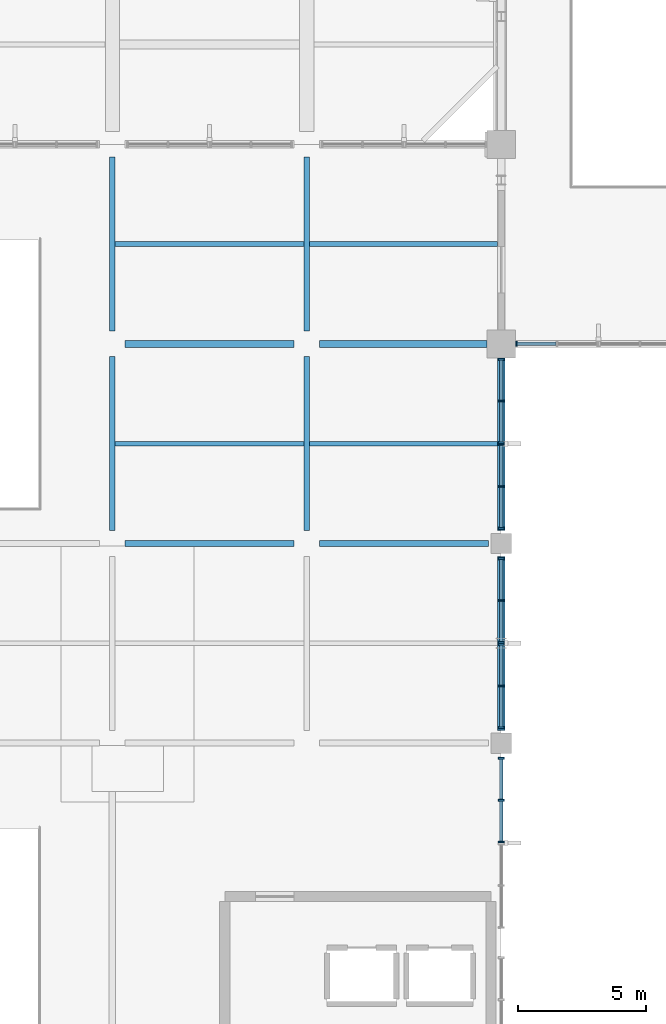
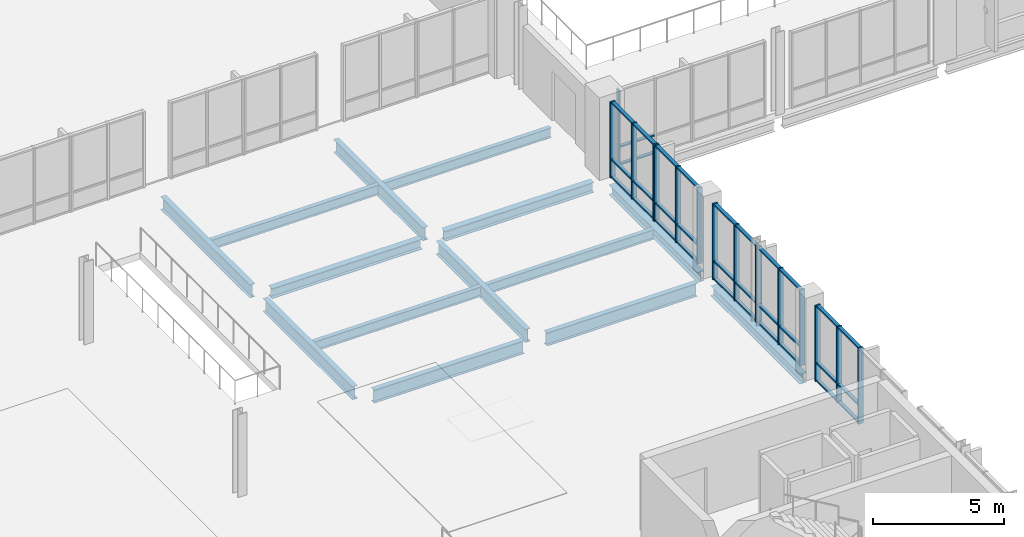
# One storey, part 39 of 85: 48 members, 14 beams, 6 elements without a shape of their own.
"""IFC4 building model written with IfcOpenShell, lengths in metres."""

from ifc_helpers import new_model, si_unit, direction, frame, origin, origin_2d, place, context, subcontext, project, spatial, rectangle, i_section, extrude, material, material_profile, profile_set, type_object, element, aggregate, save


model = new_model("IFC4")

# Units and contexts
model_context = context("Model", 3, precision=1e-05, world=origin(), true_north=direction((0.0, 1.0)))
body_context = subcontext(model_context, "Body", "Model", "MODEL_VIEW")
ifc_project = project(units=[si_unit("LENGTHUNIT", "METRE"), si_unit("AREAUNIT", "SQUARE_METRE"), si_unit("VOLUMEUNIT", "CUBIC_METRE"), si_unit("PLANEANGLEUNIT", "RADIAN"), si_unit("MASSUNIT", "GRAM", prefix="KILO")], contexts=[model_context])

# Site, building, storey
site_placement = place(None, origin())
site = spatial("IfcSite", under=ifc_project, at=site_placement, CompositionType="ELEMENT")
building_placement = place(site_placement, origin())
building = spatial("IfcBuilding", under=site, at=building_placement, Name="Vervanel Yard Central Library", CompositionType="ELEMENT")
storey_placement = place(building_placement, frame((0.0, 0.0, 5.10009765625)))
storey = spatial("IfcBuildingStorey", under=building, at=storey_placement, Name="L01", CompositionType="ELEMENT", Elevation=5.10009765625)

# Curtain wall, members
ifc_material_1 = material(Name="Thermally broken anodized aluminium 6063-T6", Category="aluminium")
curtain_wall_type_1 = type_object("IfcCurtainWallType", Name="Auditorium Foyer Curtain Wall", PredefinedType="NOTDEFINED", material=ifc_material_1)
curtain_wall_1_placement = place(storey_placement, origin())
curtain_wall_1 = element("IfcCurtainWall", 1, at=curtain_wall_1_placement, inside=storey, type_object=curtain_wall_type_1, Name="L01 Auditorium Foyer Curtain Wall CWR-L01-151", PredefinedType="NOTDEFINED")
ifc_material_profile_1 = material_profile(ifc_material_1, rectangle(XDim=0.06494140625, YDim=0.18994140625, at=origin_2d()), Name="ALU 65x190", Category="aluminium")
ifc_profile_set_1 = profile_set([ifc_material_profile_1], Name="Thermally broken anodized aluminium 6063-T6")
member_type_1 = type_object("IfcMemberType", Name="Curtain Wall Primary Mullion 65x190", PredefinedType="MULLION", material=ifc_profile_set_1)
member_1_placement = place(storey_placement, frame((146.592529296875, 74.39990234375, 0.0), z_axis=(0.0, 0.0, 1.0), x_axis=(1.0, 0.0, 0.0)))
member_1 = element("IfcMember", 2, at=member_1_placement, type_object=member_type_1, Name="CWR-L01-151 Mullion 1", PredefinedType="MULLION", context=body_context, shape_type="SweptSolid", body=[
    extrude(rectangle(XDim=0.06494140625, YDim=0.18994140625, at=origin_2d()), origin(), (0.0, 0.0, 1.0), 3.52978515625),
])
ifc_material_profile_2 = material_profile(ifc_material_1, rectangle(XDim=0.06494140625, YDim=0.139892578125, at=origin_2d()), Name="ALU 65x140", Category="aluminium")
ifc_profile_set_2 = profile_set([ifc_material_profile_2], Name="Thermally broken anodized aluminium 6063-T6")
member_type_2 = type_object("IfcMemberType", Name="Curtain Wall Transom 65x140", PredefinedType="NOTDEFINED", material=ifc_profile_set_2)
member_2_placement = place(storey_placement, frame((146.625, 74.39990234375, 0.032470703125), z_axis=(1.0, 0.0, 0.0), x_axis=(0.0, 0.0, 1.0)))
member_2 = element("IfcMember", 3, at=member_2_placement, type_object=member_type_2, Name="CWR-L01-151 Transom B1-T1", ObjectType="TRANSOM", PredefinedType="USERDEFINED", context=body_context, shape_type="SweptSolid", body=[
    extrude(rectangle(XDim=0.06494140625, YDim=0.139892578125, at=origin_2d()), origin(), (0.0, 0.0, 1.0), 1.5224609375),
])
member_3_placement = place(storey_placement, frame((146.625, 74.39990234375, 0.849853515625), z_axis=(1.0, 0.0, 0.0), x_axis=(0.0, 0.0, 1.0)))
member_3 = element("IfcMember", 4, at=member_3_placement, type_object=member_type_2, Name="CWR-L01-151 Transom B1-T2", ObjectType="TRANSOM", PredefinedType="USERDEFINED", context=body_context, shape_type="SweptSolid", body=[
    extrude(rectangle(XDim=0.06494140625, YDim=0.139892578125, at=origin_2d()), origin(), (0.0, 0.0, 1.0), 1.5224609375),
])
aggregate(curtain_wall_1, [member_1, member_2, member_3])

curtain_wall_type_2 = type_object("IfcCurtainWallType", Name="Prow Cantilever Glazed Curtain Wall", PredefinedType="NOTDEFINED", material=ifc_material_1)
curtain_wall_2_placement = place(storey_placement, origin())
curtain_wall_2 = element("IfcCurtainWall", 5, at=curtain_wall_2_placement, inside=storey, type_object=curtain_wall_type_2, Name="L01 Prow Cantilever Glazed Curtain Wall CWR-L01-127", PredefinedType="NOTDEFINED")
ifc_material_profile_3 = material_profile(ifc_material_1, rectangle(XDim=0.070068359375, YDim=0.219970703125, at=origin_2d()), Name="ALU 70x220", Category="aluminium")
ifc_profile_set_3 = profile_set([ifc_material_profile_3], Name="Thermally broken anodized aluminium 6063-T6")
member_type_3 = type_object("IfcMemberType", Name="Reading Hall Deep Mullion 70x220", PredefinedType="MULLION", material=ifc_profile_set_3)
member_4_placement = place(storey_placement, frame((146.0, 54.93505859375, 0.0), z_axis=(0.0, 0.0, 1.0), x_axis=(0.0, 1.0, 0.0)))
member_4 = element("IfcMember", 6, at=member_4_placement, type_object=member_type_3, Name="CWR-L01-127 Mullion 1", PredefinedType="MULLION", context=body_context, shape_type="SweptSolid", body=[
    extrude(rectangle(XDim=0.070068359375, YDim=0.219970703125, at=origin_2d()), origin(), (0.0, 0.0, 1.0), 3.52978515625),
])
member_5_placement = place(storey_placement, frame((146.0, 56.570068359375, 0.0), z_axis=(0.0, 0.0, 1.0), x_axis=(0.0, 1.0, 0.0)))
member_5 = element("IfcMember", 7, at=member_5_placement, type_object=member_type_3, Name="CWR-L01-127 Mullion 2", PredefinedType="MULLION", context=body_context, shape_type="SweptSolid", body=[
    extrude(rectangle(XDim=0.070068359375, YDim=0.219970703125, at=origin_2d()), origin(), (0.0, 0.0, 1.0), 3.52978515625),
])
member_6_placement = place(storey_placement, frame((146.0, 58.205078125, 0.0), z_axis=(0.0, 0.0, 1.0), x_axis=(0.0, 1.0, 0.0)))
member_6 = element("IfcMember", 8, at=member_6_placement, type_object=member_type_3, Name="CWR-L01-127 Mullion 3", PredefinedType="MULLION", context=body_context, shape_type="SweptSolid", body=[
    extrude(rectangle(XDim=0.070068359375, YDim=0.219970703125, at=origin_2d()), origin(), (0.0, 0.0, 1.0), 3.52978515625),
])

curtain_wall_3_placement = place(storey_placement, origin())
curtain_wall_3 = element("IfcCurtainWall", 9, at=curtain_wall_3_placement, inside=storey, type_object=curtain_wall_type_2, Name="L01 Prow Cantilever Glazed Curtain Wall CWR-L01-128", PredefinedType="NOTDEFINED")
member_7_placement = place(storey_placement, frame((146.0, 59.39501953125, 0.0), z_axis=(0.0, 0.0, 1.0), x_axis=(0.0, 1.0, 0.0)))
member_7 = element("IfcMember", 10, at=member_7_placement, type_object=member_type_3, Name="CWR-L01-128 Mullion 1", PredefinedType="MULLION", context=body_context, shape_type="SweptSolid", body=[
    extrude(rectangle(XDim=0.070068359375, YDim=0.219970703125, at=origin_2d()), origin(), (0.0, 0.0, 1.0), 3.52978515625),
])
member_8_placement = place(storey_placement, frame((146.0, 61.030029296875, 0.0), z_axis=(0.0, 0.0, 1.0), x_axis=(0.0, 1.0, 0.0)))
member_8 = element("IfcMember", 11, at=member_8_placement, type_object=member_type_3, Name="CWR-L01-128 Mullion 2", PredefinedType="MULLION", context=body_context, shape_type="SweptSolid", body=[
    extrude(rectangle(XDim=0.070068359375, YDim=0.219970703125, at=origin_2d()), origin(), (0.0, 0.0, 1.0), 3.52978515625),
])
member_9_placement = place(storey_placement, frame((146.0, 62.6650390625, 0.0), z_axis=(0.0, 0.0, 1.0), x_axis=(0.0, 1.0, 0.0)))
member_9 = element("IfcMember", 12, at=member_9_placement, type_object=member_type_3, Name="CWR-L01-128 Mullion 3", PredefinedType="MULLION", context=body_context, shape_type="SweptSolid", body=[
    extrude(rectangle(XDim=0.070068359375, YDim=0.219970703125, at=origin_2d()), origin(), (0.0, 0.0, 1.0), 3.52978515625),
])

curtain_wall_4_placement = place(storey_placement, origin())
curtain_wall_4 = element("IfcCurtainWall", 13, at=curtain_wall_4_placement, inside=storey, type_object=curtain_wall_type_2, Name="L01 Prow Cantilever Glazed Curtain Wall CWR-L01-129", PredefinedType="NOTDEFINED")
member_10_placement = place(storey_placement, frame((146.0, 62.735107421875, 0.0), z_axis=(0.0, 0.0, 1.0), x_axis=(0.0, 1.0, 0.0)))
member_10 = element("IfcMember", 14, at=member_10_placement, type_object=member_type_3, Name="CWR-L01-129 Mullion 1", PredefinedType="MULLION", context=body_context, shape_type="SweptSolid", body=[
    extrude(rectangle(XDim=0.070068359375, YDim=0.219970703125, at=origin_2d()), origin(), (0.0, 0.0, 1.0), 3.52978515625),
])
member_11_placement = place(storey_placement, frame((146.0, 64.3701171875, 0.0), z_axis=(0.0, 0.0, 1.0), x_axis=(0.0, 1.0, 0.0)))
member_11 = element("IfcMember", 15, at=member_11_placement, type_object=member_type_3, Name="CWR-L01-129 Mullion 2", PredefinedType="MULLION", context=body_context, shape_type="SweptSolid", body=[
    extrude(rectangle(XDim=0.070068359375, YDim=0.219970703125, at=origin_2d()), origin(), (0.0, 0.0, 1.0), 3.52978515625),
])
member_12_placement = place(storey_placement, frame((146.0, 66.0048828125, 0.0), z_axis=(0.0, 0.0, 1.0), x_axis=(0.0, 1.0, 0.0)))
member_12 = element("IfcMember", 16, at=member_12_placement, type_object=member_type_3, Name="CWR-L01-129 Mullion 3", PredefinedType="MULLION", context=body_context, shape_type="SweptSolid", body=[
    extrude(rectangle(XDim=0.070068359375, YDim=0.219970703125, at=origin_2d()), origin(), (0.0, 0.0, 1.0), 3.52978515625),
])

curtain_wall_5_placement = place(storey_placement, origin())
curtain_wall_5 = element("IfcCurtainWall", 17, at=curtain_wall_5_placement, inside=storey, type_object=curtain_wall_type_2, Name="L01 Prow Cantilever Glazed Curtain Wall CWR-L01-130", PredefinedType="NOTDEFINED")
member_13_placement = place(storey_placement, frame((146.0, 67.195068359375, 0.0), z_axis=(0.0, 0.0, 1.0), x_axis=(0.0, 1.0, 0.0)))
member_13 = element("IfcMember", 18, at=member_13_placement, type_object=member_type_3, Name="CWR-L01-130 Mullion 1", PredefinedType="MULLION", context=body_context, shape_type="SweptSolid", body=[
    extrude(rectangle(XDim=0.070068359375, YDim=0.219970703125, at=origin_2d()), origin(), (0.0, 0.0, 1.0), 3.52978515625),
])
member_14_placement = place(storey_placement, frame((146.0, 68.830078125, 0.0), z_axis=(0.0, 0.0, 1.0), x_axis=(0.0, 1.0, 0.0)))
member_14 = element("IfcMember", 19, at=member_14_placement, type_object=member_type_3, Name="CWR-L01-130 Mullion 2", PredefinedType="MULLION", context=body_context, shape_type="SweptSolid", body=[
    extrude(rectangle(XDim=0.070068359375, YDim=0.219970703125, at=origin_2d()), origin(), (0.0, 0.0, 1.0), 3.52978515625),
])
member_15_placement = place(storey_placement, frame((146.0, 70.465087890625, 0.0), z_axis=(0.0, 0.0, 1.0), x_axis=(0.0, 1.0, 0.0)))
member_15 = element("IfcMember", 20, at=member_15_placement, type_object=member_type_3, Name="CWR-L01-130 Mullion 3", PredefinedType="MULLION", context=body_context, shape_type="SweptSolid", body=[
    extrude(rectangle(XDim=0.070068359375, YDim=0.219970703125, at=origin_2d()), origin(), (0.0, 0.0, 1.0), 3.52978515625),
])

curtain_wall_6_placement = place(storey_placement, origin())
curtain_wall_6 = element("IfcCurtainWall", 21, at=curtain_wall_6_placement, inside=storey, type_object=curtain_wall_type_2, Name="L01 Prow Cantilever Glazed Curtain Wall CWR-L01-131", PredefinedType="NOTDEFINED")
member_16_placement = place(storey_placement, frame((146.0, 70.534912109375, 0.0), z_axis=(0.0, 0.0, 1.0), x_axis=(0.0, 1.0, 0.0)))
member_16 = element("IfcMember", 22, at=member_16_placement, type_object=member_type_3, Name="CWR-L01-131 Mullion 1", PredefinedType="MULLION", context=body_context, shape_type="SweptSolid", body=[
    extrude(rectangle(XDim=0.070068359375, YDim=0.219970703125, at=origin_2d()), origin(), (0.0, 0.0, 1.0), 3.52978515625),
])
member_17_placement = place(storey_placement, frame((146.0, 72.169921875, 0.0), z_axis=(0.0, 0.0, 1.0), x_axis=(0.0, 1.0, 0.0)))
member_17 = element("IfcMember", 23, at=member_17_placement, type_object=member_type_3, Name="CWR-L01-131 Mullion 2", PredefinedType="MULLION", context=body_context, shape_type="SweptSolid", body=[
    extrude(rectangle(XDim=0.070068359375, YDim=0.219970703125, at=origin_2d()), origin(), (0.0, 0.0, 1.0), 3.52978515625),
])
member_18_placement = place(storey_placement, frame((146.0, 73.804931640625, 0.0), z_axis=(0.0, 0.0, 1.0), x_axis=(0.0, 1.0, 0.0)))
member_18 = element("IfcMember", 24, at=member_18_placement, type_object=member_type_3, Name="CWR-L01-131 Mullion 3", PredefinedType="MULLION", context=body_context, shape_type="SweptSolid", body=[
    extrude(rectangle(XDim=0.070068359375, YDim=0.219970703125, at=origin_2d()), origin(), (0.0, 0.0, 1.0), 3.52978515625),
])

# Member
ifc_material_profile_4 = material_profile(ifc_material_1, rectangle(XDim=0.070068359375, YDim=0.14990234375, at=origin_2d()), Name="ALU 70x150", Category="aluminium")
ifc_profile_set_4 = profile_set([ifc_material_profile_4], Name="Thermally broken anodized aluminium 6063-T6")
member_type_4 = type_object("IfcMemberType", Name="Reading Hall Deep Transom 70x150", PredefinedType="NOTDEFINED", material=ifc_profile_set_4)
member_19_placement = place(storey_placement, frame((146.0, 54.969970703125, 0.034912109375), z_axis=(0.0, 1.0, 0.0), x_axis=(0.0, 0.0, 1.0)))
member_19 = element("IfcMember", 25, at=member_19_placement, type_object=member_type_4, Name="CWR-L01-127 Transom B1-T1", ObjectType="TRANSOM", PredefinedType="USERDEFINED", context=body_context, shape_type="SweptSolid", body=[
    extrude(rectangle(XDim=0.070068359375, YDim=0.14990234375, at=origin_2d()), origin(), (0.0, 0.0, 1.0), 1.56494140625),
])

member_20_placement = place(storey_placement, frame((146.0, 54.969970703125, 0.849853515625), z_axis=(0.0, 1.0, 0.0), x_axis=(0.0, 0.0, 1.0)))
member_20 = element("IfcMember", 26, at=member_20_placement, type_object=member_type_4, Name="CWR-L01-127 Transom B1-T2", ObjectType="TRANSOM", PredefinedType="USERDEFINED", context=body_context, shape_type="SweptSolid", body=[
    extrude(rectangle(XDim=0.070068359375, YDim=0.14990234375, at=origin_2d()), origin(), (0.0, 0.0, 1.0), 1.56494140625),
])

member_21_placement = place(storey_placement, frame((146.0, 54.969970703125, 3.494873046875), z_axis=(0.0, 1.0, 0.0), x_axis=(0.0, 0.0, 1.0)))
member_21 = element("IfcMember", 27, at=member_21_placement, type_object=member_type_4, Name="CWR-L01-127 Transom B1-T3", ObjectType="TRANSOM", PredefinedType="USERDEFINED", context=body_context, shape_type="SweptSolid", body=[
    extrude(rectangle(XDim=0.070068359375, YDim=0.14990234375, at=origin_2d()), origin(), (0.0, 0.0, 1.0), 1.56494140625),
])

member_22_placement = place(storey_placement, frame((146.0, 56.60498046875, 0.034912109375), z_axis=(0.0, 1.0, 0.0), x_axis=(0.0, 0.0, 1.0)))
member_22 = element("IfcMember", 28, at=member_22_placement, type_object=member_type_4, Name="CWR-L01-127 Transom B2-T1", ObjectType="TRANSOM", PredefinedType="USERDEFINED", context=body_context, shape_type="SweptSolid", body=[
    extrude(rectangle(XDim=0.070068359375, YDim=0.14990234375, at=origin_2d()), origin(), (0.0, 0.0, 1.0), 1.56494140625),
])

member_23_placement = place(storey_placement, frame((146.0, 56.60498046875, 0.849853515625), z_axis=(0.0, 1.0, 0.0), x_axis=(0.0, 0.0, 1.0)))
member_23 = element("IfcMember", 29, at=member_23_placement, type_object=member_type_4, Name="CWR-L01-127 Transom B2-T2", ObjectType="TRANSOM", PredefinedType="USERDEFINED", context=body_context, shape_type="SweptSolid", body=[
    extrude(rectangle(XDim=0.070068359375, YDim=0.14990234375, at=origin_2d()), origin(), (0.0, 0.0, 1.0), 1.56494140625),
])

member_24_placement = place(storey_placement, frame((146.0, 56.60498046875, 3.494873046875), z_axis=(0.0, 1.0, 0.0), x_axis=(0.0, 0.0, 1.0)))
member_24 = element("IfcMember", 30, at=member_24_placement, type_object=member_type_4, Name="CWR-L01-127 Transom B2-T3", ObjectType="TRANSOM", PredefinedType="USERDEFINED", context=body_context, shape_type="SweptSolid", body=[
    extrude(rectangle(XDim=0.070068359375, YDim=0.14990234375, at=origin_2d()), origin(), (0.0, 0.0, 1.0), 1.56494140625),
])

aggregate(curtain_wall_2, [member_4, member_5, member_6, member_19, member_20, member_21, member_22, member_23, member_24])

member_25_placement = place(storey_placement, frame((146.0, 59.429931640625, 0.034912109375), z_axis=(0.0, 1.0, 0.0), x_axis=(0.0, 0.0, 1.0)))
member_25 = element("IfcMember", 31, at=member_25_placement, type_object=member_type_4, Name="CWR-L01-128 Transom B1-T1", ObjectType="TRANSOM", PredefinedType="USERDEFINED", context=body_context, shape_type="SweptSolid", body=[
    extrude(rectangle(XDim=0.070068359375, YDim=0.14990234375, at=origin_2d()), origin(), (0.0, 0.0, 1.0), 1.565185546875),
])

member_26_placement = place(storey_placement, frame((146.0, 59.429931640625, 0.849853515625), z_axis=(0.0, 1.0, 0.0), x_axis=(0.0, 0.0, 1.0)))
member_26 = element("IfcMember", 32, at=member_26_placement, type_object=member_type_4, Name="CWR-L01-128 Transom B1-T2", ObjectType="TRANSOM", PredefinedType="USERDEFINED", context=body_context, shape_type="SweptSolid", body=[
    extrude(rectangle(XDim=0.070068359375, YDim=0.14990234375, at=origin_2d()), origin(), (0.0, 0.0, 1.0), 1.565185546875),
])

member_27_placement = place(storey_placement, frame((146.0, 59.429931640625, 3.494873046875), z_axis=(0.0, 1.0, 0.0), x_axis=(0.0, 0.0, 1.0)))
member_27 = element("IfcMember", 33, at=member_27_placement, type_object=member_type_4, Name="CWR-L01-128 Transom B1-T3", ObjectType="TRANSOM", PredefinedType="USERDEFINED", context=body_context, shape_type="SweptSolid", body=[
    extrude(rectangle(XDim=0.070068359375, YDim=0.14990234375, at=origin_2d()), origin(), (0.0, 0.0, 1.0), 1.565185546875),
])

member_28_placement = place(storey_placement, frame((146.0, 61.06494140625, 0.034912109375), z_axis=(0.0, 1.0, 0.0), x_axis=(0.0, 0.0, 1.0)))
member_28 = element("IfcMember", 34, at=member_28_placement, type_object=member_type_4, Name="CWR-L01-128 Transom B2-T1", ObjectType="TRANSOM", PredefinedType="USERDEFINED", context=body_context, shape_type="SweptSolid", body=[
    extrude(rectangle(XDim=0.070068359375, YDim=0.14990234375, at=origin_2d()), origin(), (0.0, 0.0, 1.0), 1.56494140625),
])

member_29_placement = place(storey_placement, frame((146.0, 61.06494140625, 0.849853515625), z_axis=(0.0, 1.0, 0.0), x_axis=(0.0, 0.0, 1.0)))
member_29 = element("IfcMember", 35, at=member_29_placement, type_object=member_type_4, Name="CWR-L01-128 Transom B2-T2", ObjectType="TRANSOM", PredefinedType="USERDEFINED", context=body_context, shape_type="SweptSolid", body=[
    extrude(rectangle(XDim=0.070068359375, YDim=0.14990234375, at=origin_2d()), origin(), (0.0, 0.0, 1.0), 1.56494140625),
])

member_30_placement = place(storey_placement, frame((146.0, 61.06494140625, 3.494873046875), z_axis=(0.0, 1.0, 0.0), x_axis=(0.0, 0.0, 1.0)))
member_30 = element("IfcMember", 36, at=member_30_placement, type_object=member_type_4, Name="CWR-L01-128 Transom B2-T3", ObjectType="TRANSOM", PredefinedType="USERDEFINED", context=body_context, shape_type="SweptSolid", body=[
    extrude(rectangle(XDim=0.070068359375, YDim=0.14990234375, at=origin_2d()), origin(), (0.0, 0.0, 1.0), 1.56494140625),
])

aggregate(curtain_wall_3, [member_7, member_8, member_9, member_25, member_26, member_27, member_28, member_29, member_30])

member_31_placement = place(storey_placement, frame((146.0, 62.77001953125, 0.034912109375), z_axis=(0.0, 1.0, 0.0), x_axis=(0.0, 0.0, 1.0)))
member_31 = element("IfcMember", 37, at=member_31_placement, type_object=member_type_4, Name="CWR-L01-129 Transom B1-T1", ObjectType="TRANSOM", PredefinedType="USERDEFINED", context=body_context, shape_type="SweptSolid", body=[
    extrude(rectangle(XDim=0.070068359375, YDim=0.14990234375, at=origin_2d()), origin(), (0.0, 0.0, 1.0), 1.56494140625),
])

member_32_placement = place(storey_placement, frame((146.0, 62.77001953125, 0.849853515625), z_axis=(0.0, 1.0, 0.0), x_axis=(0.0, 0.0, 1.0)))
member_32 = element("IfcMember", 38, at=member_32_placement, type_object=member_type_4, Name="CWR-L01-129 Transom B1-T2", ObjectType="TRANSOM", PredefinedType="USERDEFINED", context=body_context, shape_type="SweptSolid", body=[
    extrude(rectangle(XDim=0.070068359375, YDim=0.14990234375, at=origin_2d()), origin(), (0.0, 0.0, 1.0), 1.56494140625),
])

member_33_placement = place(storey_placement, frame((146.0, 62.77001953125, 3.494873046875), z_axis=(0.0, 1.0, 0.0), x_axis=(0.0, 0.0, 1.0)))
member_33 = element("IfcMember", 39, at=member_33_placement, type_object=member_type_4, Name="CWR-L01-129 Transom B1-T3", ObjectType="TRANSOM", PredefinedType="USERDEFINED", context=body_context, shape_type="SweptSolid", body=[
    extrude(rectangle(XDim=0.070068359375, YDim=0.14990234375, at=origin_2d()), origin(), (0.0, 0.0, 1.0), 1.56494140625),
])

member_34_placement = place(storey_placement, frame((146.0, 64.405029296875, 0.034912109375), z_axis=(0.0, 1.0, 0.0), x_axis=(0.0, 0.0, 1.0)))
member_34 = element("IfcMember", 40, at=member_34_placement, type_object=member_type_4, Name="CWR-L01-129 Transom B2-T1", ObjectType="TRANSOM", PredefinedType="USERDEFINED", context=body_context, shape_type="SweptSolid", body=[
    extrude(rectangle(XDim=0.070068359375, YDim=0.14990234375, at=origin_2d()), origin(), (0.0, 0.0, 1.0), 1.56494140625),
])

member_35_placement = place(storey_placement, frame((146.0, 64.405029296875, 0.849853515625), z_axis=(0.0, 1.0, 0.0), x_axis=(0.0, 0.0, 1.0)))
member_35 = element("IfcMember", 41, at=member_35_placement, type_object=member_type_4, Name="CWR-L01-129 Transom B2-T2", ObjectType="TRANSOM", PredefinedType="USERDEFINED", context=body_context, shape_type="SweptSolid", body=[
    extrude(rectangle(XDim=0.070068359375, YDim=0.14990234375, at=origin_2d()), origin(), (0.0, 0.0, 1.0), 1.56494140625),
])

member_36_placement = place(storey_placement, frame((146.0, 64.405029296875, 3.494873046875), z_axis=(0.0, 1.0, 0.0), x_axis=(0.0, 0.0, 1.0)))
member_36 = element("IfcMember", 42, at=member_36_placement, type_object=member_type_4, Name="CWR-L01-129 Transom B2-T3", ObjectType="TRANSOM", PredefinedType="USERDEFINED", context=body_context, shape_type="SweptSolid", body=[
    extrude(rectangle(XDim=0.070068359375, YDim=0.14990234375, at=origin_2d()), origin(), (0.0, 0.0, 1.0), 1.56494140625),
])

aggregate(curtain_wall_4, [member_10, member_11, member_12, member_31, member_32, member_33, member_34, member_35, member_36])

member_37_placement = place(storey_placement, frame((146.0, 67.22998046875, 0.034912109375), z_axis=(0.0, 1.0, 0.0), x_axis=(0.0, 0.0, 1.0)))
member_37 = element("IfcMember", 43, at=member_37_placement, type_object=member_type_4, Name="CWR-L01-130 Transom B1-T1", ObjectType="TRANSOM", PredefinedType="USERDEFINED", context=body_context, shape_type="SweptSolid", body=[
    extrude(rectangle(XDim=0.070068359375, YDim=0.14990234375, at=origin_2d()), origin(), (0.0, 0.0, 1.0), 1.56494140625),
])

member_38_placement = place(storey_placement, frame((146.0, 67.22998046875, 0.849853515625), z_axis=(0.0, 1.0, 0.0), x_axis=(0.0, 0.0, 1.0)))
member_38 = element("IfcMember", 44, at=member_38_placement, type_object=member_type_4, Name="CWR-L01-130 Transom B1-T2", ObjectType="TRANSOM", PredefinedType="USERDEFINED", context=body_context, shape_type="SweptSolid", body=[
    extrude(rectangle(XDim=0.070068359375, YDim=0.14990234375, at=origin_2d()), origin(), (0.0, 0.0, 1.0), 1.56494140625),
])

member_39_placement = place(storey_placement, frame((146.0, 67.22998046875, 3.494873046875), z_axis=(0.0, 1.0, 0.0), x_axis=(0.0, 0.0, 1.0)))
member_39 = element("IfcMember", 45, at=member_39_placement, type_object=member_type_4, Name="CWR-L01-130 Transom B1-T3", ObjectType="TRANSOM", PredefinedType="USERDEFINED", context=body_context, shape_type="SweptSolid", body=[
    extrude(rectangle(XDim=0.070068359375, YDim=0.14990234375, at=origin_2d()), origin(), (0.0, 0.0, 1.0), 1.56494140625),
])

member_40_placement = place(storey_placement, frame((146.0, 68.864990234375, 0.034912109375), z_axis=(0.0, 1.0, 0.0), x_axis=(0.0, 0.0, 1.0)))
member_40 = element("IfcMember", 46, at=member_40_placement, type_object=member_type_4, Name="CWR-L01-130 Transom B2-T1", ObjectType="TRANSOM", PredefinedType="USERDEFINED", context=body_context, shape_type="SweptSolid", body=[
    extrude(rectangle(XDim=0.070068359375, YDim=0.14990234375, at=origin_2d()), origin(), (0.0, 0.0, 1.0), 1.56494140625),
])

member_41_placement = place(storey_placement, frame((146.0, 68.864990234375, 0.849853515625), z_axis=(0.0, 1.0, 0.0), x_axis=(0.0, 0.0, 1.0)))
member_41 = element("IfcMember", 47, at=member_41_placement, type_object=member_type_4, Name="CWR-L01-130 Transom B2-T2", ObjectType="TRANSOM", PredefinedType="USERDEFINED", context=body_context, shape_type="SweptSolid", body=[
    extrude(rectangle(XDim=0.070068359375, YDim=0.14990234375, at=origin_2d()), origin(), (0.0, 0.0, 1.0), 1.56494140625),
])

member_42_placement = place(storey_placement, frame((146.0, 68.864990234375, 3.494873046875), z_axis=(0.0, 1.0, 0.0), x_axis=(0.0, 0.0, 1.0)))
member_42 = element("IfcMember", 48, at=member_42_placement, type_object=member_type_4, Name="CWR-L01-130 Transom B2-T3", ObjectType="TRANSOM", PredefinedType="USERDEFINED", context=body_context, shape_type="SweptSolid", body=[
    extrude(rectangle(XDim=0.070068359375, YDim=0.14990234375, at=origin_2d()), origin(), (0.0, 0.0, 1.0), 1.56494140625),
])

aggregate(curtain_wall_5, [member_13, member_14, member_15, member_37, member_38, member_39, member_40, member_41, member_42])

member_43_placement = place(storey_placement, frame((146.0, 70.570068359375, 0.034912109375), z_axis=(0.0, 1.0, 0.0), x_axis=(0.0, 0.0, 1.0)))
member_43 = element("IfcMember", 49, at=member_43_placement, type_object=member_type_4, Name="CWR-L01-131 Transom B1-T1", ObjectType="TRANSOM", PredefinedType="USERDEFINED", context=body_context, shape_type="SweptSolid", body=[
    extrude(rectangle(XDim=0.070068359375, YDim=0.14990234375, at=origin_2d()), origin(), (0.0, 0.0, 1.0), 1.56494140625),
])

member_44_placement = place(storey_placement, frame((146.0, 70.570068359375, 0.849853515625), z_axis=(0.0, 1.0, 0.0), x_axis=(0.0, 0.0, 1.0)))
member_44 = element("IfcMember", 50, at=member_44_placement, type_object=member_type_4, Name="CWR-L01-131 Transom B1-T2", ObjectType="TRANSOM", PredefinedType="USERDEFINED", context=body_context, shape_type="SweptSolid", body=[
    extrude(rectangle(XDim=0.070068359375, YDim=0.14990234375, at=origin_2d()), origin(), (0.0, 0.0, 1.0), 1.56494140625),
])

member_45_placement = place(storey_placement, frame((146.0, 70.570068359375, 3.494873046875), z_axis=(0.0, 1.0, 0.0), x_axis=(0.0, 0.0, 1.0)))
member_45 = element("IfcMember", 51, at=member_45_placement, type_object=member_type_4, Name="CWR-L01-131 Transom B1-T3", ObjectType="TRANSOM", PredefinedType="USERDEFINED", context=body_context, shape_type="SweptSolid", body=[
    extrude(rectangle(XDim=0.070068359375, YDim=0.14990234375, at=origin_2d()), origin(), (0.0, 0.0, 1.0), 1.56494140625),
])

member_46_placement = place(storey_placement, frame((146.0, 72.205078125, 0.034912109375), z_axis=(0.0, 1.0, 0.0), x_axis=(0.0, 0.0, 1.0)))
member_46 = element("IfcMember", 52, at=member_46_placement, type_object=member_type_4, Name="CWR-L01-131 Transom B2-T1", ObjectType="TRANSOM", PredefinedType="USERDEFINED", context=body_context, shape_type="SweptSolid", body=[
    extrude(rectangle(XDim=0.070068359375, YDim=0.14990234375, at=origin_2d()), origin(), (0.0, 0.0, 1.0), 1.56494140625),
])

member_47_placement = place(storey_placement, frame((146.0, 72.205078125, 0.849853515625), z_axis=(0.0, 1.0, 0.0), x_axis=(0.0, 0.0, 1.0)))
member_47 = element("IfcMember", 53, at=member_47_placement, type_object=member_type_4, Name="CWR-L01-131 Transom B2-T2", ObjectType="TRANSOM", PredefinedType="USERDEFINED", context=body_context, shape_type="SweptSolid", body=[
    extrude(rectangle(XDim=0.070068359375, YDim=0.14990234375, at=origin_2d()), origin(), (0.0, 0.0, 1.0), 1.56494140625),
])

member_48_placement = place(storey_placement, frame((146.0, 72.205078125, 3.494873046875), z_axis=(0.0, 1.0, 0.0), x_axis=(0.0, 0.0, 1.0)))
member_48 = element("IfcMember", 54, at=member_48_placement, type_object=member_type_4, Name="CWR-L01-131 Transom B2-T3", ObjectType="TRANSOM", PredefinedType="USERDEFINED", context=body_context, shape_type="SweptSolid", body=[
    extrude(rectangle(XDim=0.070068359375, YDim=0.14990234375, at=origin_2d()), origin(), (0.0, 0.0, 1.0), 1.56494140625),
])

aggregate(curtain_wall_6, [member_16, member_17, member_18, member_43, member_44, member_45, member_46, member_47, member_48])

# Beams
ifc_material_2 = material(Name="Steel ASTM A992 Grade 50", Category="steel")
ifc_material_profile_5 = material_profile(ifc_material_2, i_section(OverallWidth=0.22900390625, OverallDepth=0.612060546875, WebThickness=0.011962890625, FlangeThickness=0.01953125, at=origin_2d()), Name="W24X84", Category="steel")
ifc_profile_set_5 = profile_set([ifc_material_profile_5], Name="Steel ASTM A992 Grade 50")
beam_type_1 = type_object("IfcBeamType", Name="Steel Primary Girder W24X84", PredefinedType="BEAM", material=ifc_profile_set_5)
beam_1_placement = place(storey_placement, frame((131.300048828125, 66.60009765625, -0.631103515625), z_axis=(1.0, 0.0, 0.0), x_axis=(0.0, 1.0, 0.0)))
element("IfcBeam", 55, at=beam_1_placement, inside=storey, type_object=beam_type_1, Name="L01 Girder SB-01 Y=66.6 X=130.8-138.4", PredefinedType="BEAM", context=body_context, shape_type="SweptSolid", body=[
    extrude(i_section(OverallWidth=0.22900390625, OverallDepth=0.612060546875, WebThickness=0.011962890625, FlangeThickness=0.01953125, at=origin_2d()), origin(), (0.0, 0.0, 1.0), 6.599853515625),
])
beam_2_placement = place(storey_placement, frame((138.89990234375, 66.60009765625, -0.631103515625), z_axis=(1.0, 0.0, 0.0), x_axis=(0.0, 1.0, 0.0)))
element("IfcBeam", 56, at=beam_2_placement, inside=storey, type_object=beam_type_1, Name="L01 Girder SB-01 Y=66.6 X=138.4-146.0", PredefinedType="BEAM", context=body_context, shape_type="SweptSolid", body=[
    extrude(i_section(OverallWidth=0.22900390625, OverallDepth=0.612060546875, WebThickness=0.011962890625, FlangeThickness=0.01953125, at=origin_2d()), origin(), (0.0, 0.0, 1.0), 6.60009765625),
])
beam_3_placement = place(storey_placement, frame((130.800048828125, 67.10009765625, -0.631103515625), z_axis=(0.0, 1.0, 0.0), x_axis=(-1.0, 0.0, 0.0)))
element("IfcBeam", 57, at=beam_3_placement, inside=storey, type_object=beam_type_1, Name="L01 Girder SB-01 X=130.8 Y=66.6-74.4", PredefinedType="BEAM", context=body_context, shape_type="SweptSolid", body=[
    extrude(i_section(OverallWidth=0.22900390625, OverallDepth=0.612060546875, WebThickness=0.011962890625, FlangeThickness=0.01953125, at=origin_2d()), origin(), (0.0, 0.0, 1.0), 6.7998046875),
])
beam_4_placement = place(storey_placement, frame((130.800048828125, 74.89990234375, -0.631103515625), z_axis=(0.0, 1.0, 0.0), x_axis=(-1.0, 0.0, 0.0)))
element("IfcBeam", 58, at=beam_4_placement, inside=storey, type_object=beam_type_1, Name="L01 Girder SB-01 X=130.8 Y=74.4-82.2", PredefinedType="BEAM", context=body_context, shape_type="SweptSolid", body=[
    extrude(i_section(OverallWidth=0.22900390625, OverallDepth=0.612060546875, WebThickness=0.011962890625, FlangeThickness=0.01953125, at=origin_2d()), origin(), (0.0, 0.0, 1.0), 6.800048828125),
])
beam_5_placement = place(storey_placement, frame((138.39990234375, 67.10009765625, -0.631103515625), z_axis=(0.0, 1.0, 0.0), x_axis=(-1.0, 0.0, 0.0)))
element("IfcBeam", 59, at=beam_5_placement, inside=storey, type_object=beam_type_1, Name="L01 Girder SB-01 X=138.4 Y=66.6-74.4", PredefinedType="BEAM", context=body_context, shape_type="SweptSolid", body=[
    extrude(i_section(OverallWidth=0.22900390625, OverallDepth=0.612060546875, WebThickness=0.011962890625, FlangeThickness=0.01953125, at=origin_2d()), origin(), (0.0, 0.0, 1.0), 6.7998046875),
])
beam_6_placement = place(storey_placement, frame((138.39990234375, 74.89990234375, -0.631103515625), z_axis=(0.0, 1.0, 0.0), x_axis=(-1.0, 0.0, 0.0)))
element("IfcBeam", 60, at=beam_6_placement, inside=storey, type_object=beam_type_1, Name="L01 Girder SB-01 X=138.4 Y=74.4-82.2", PredefinedType="BEAM", context=body_context, shape_type="SweptSolid", body=[
    extrude(i_section(OverallWidth=0.22900390625, OverallDepth=0.612060546875, WebThickness=0.011962890625, FlangeThickness=0.01953125, at=origin_2d()), origin(), (0.0, 0.0, 1.0), 6.800048828125),
])
ifc_material_profile_6 = material_profile(ifc_material_2, i_section(OverallWidth=0.191162109375, OverallDepth=0.459716796875, WebThickness=0.010009765625, FlangeThickness=0.01611328125, at=origin_2d()), Name="W18X55", Category="steel")
ifc_profile_set_6 = profile_set([ifc_material_profile_6], Name="Steel ASTM A992 Grade 50")
beam_type_2 = type_object("IfcBeamType", Name="Steel Secondary Joist W18X55", PredefinedType="JOIST", material=ifc_profile_set_6)
for number, where, z_axis, x_axis, name in (
    (61, (130.91455078125, 70.5, -0.554931640625), (1.0, 0.0, 0.0), (0.0, 1.0, 0.0), "L01 Floor Joist SJ-03 Y=70.50 X=130.8-138.4"),
    (62, (130.91455078125, 78.300048828125, -0.554931640625), (1.0, 0.0, 0.0), (0.0, 1.0, 0.0), "L01 Floor Joist SJ-03 Y=78.30 X=130.8-138.4"),
):
    element("IfcBeam", number, at=place(storey_placement, frame(where, z_axis=z_axis, x_axis=x_axis)), inside=storey, type_object=beam_type_2, Name=name, PredefinedType="JOIST", context=body_context, shape_type="SweptSolid", body=[
        extrude(i_section(OverallWidth=0.191162109375, OverallDepth=0.459716796875, WebThickness=0.010009765625, FlangeThickness=0.01611328125, at=origin_2d()), origin(), (0.0, 0.0, 1.0), 7.370849609375),
    ])
for number, where, z_axis, x_axis, name in (
    (63, (138.5146484375, 70.5, -0.554931640625), (1.0, 0.0, 0.0), (0.0, 1.0, 0.0), "L01 Floor Joist SJ-03 Y=70.50 X=138.4-146.0"),
    (64, (138.5146484375, 78.300048828125, -0.554931640625), (1.0, 0.0, 0.0), (0.0, 1.0, 0.0), "L01 Floor Joist SJ-03 Y=78.30 X=138.4-146.0"),
):
    element("IfcBeam", number, at=place(storey_placement, frame(where, z_axis=z_axis, x_axis=x_axis)), inside=storey, type_object=beam_type_2, Name=name, PredefinedType="JOIST", context=body_context, shape_type="SweptSolid", body=[
        extrude(i_section(OverallWidth=0.191162109375, OverallDepth=0.459716796875, WebThickness=0.010009765625, FlangeThickness=0.01611328125, at=origin_2d()), origin(), (0.0, 0.0, 1.0), 7.34423828125),
    ])
ifc_material_profile_7 = material_profile(ifc_material_2, i_section(OverallWidth=0.281982421875, OverallDepth=0.46728515625, WebThickness=0.01220703125, FlangeThickness=0.01953125, at=origin_2d()), Name="W18X86", Category="steel")
ifc_profile_set_7 = profile_set([ifc_material_profile_7], Name="Steel ASTM A992 Grade 50")
beam_type_3 = type_object("IfcBeamType", Name="Steel Spandrel Beam W18X86", PredefinedType="SPANDREL", material=ifc_profile_set_7)
beam_7_placement = place(storey_placement, frame((131.300048828125, 74.39990234375, -0.558837890625), z_axis=(1.0, 0.0, 0.0), x_axis=(0.0, 1.0, 0.0)))
element("IfcBeam", 65, at=beam_7_placement, inside=storey, type_object=beam_type_3, Name="L01 Girder SP-02 Y=74.4 X=130.8-138.4", PredefinedType="SPANDREL", context=body_context, shape_type="SweptSolid", body=[
    extrude(i_section(OverallWidth=0.281982421875, OverallDepth=0.46728515625, WebThickness=0.01220703125, FlangeThickness=0.01953125, at=origin_2d()), origin(), (0.0, 0.0, 1.0), 6.599853515625),
])
beam_8_placement = place(storey_placement, frame((138.89990234375, 74.39990234375, -0.558837890625), z_axis=(1.0, 0.0, 0.0), x_axis=(0.0, 1.0, 0.0)))
element("IfcBeam", 66, at=beam_8_placement, inside=storey, type_object=beam_type_3, Name="L01 Girder SP-02 Y=74.4 X=138.4-146.0", PredefinedType="SPANDREL", context=body_context, shape_type="SweptSolid", body=[
    extrude(i_section(OverallWidth=0.281982421875, OverallDepth=0.46728515625, WebThickness=0.01220703125, FlangeThickness=0.01953125, at=origin_2d()), origin(), (0.0, 0.0, 1.0), 6.550048828125),
])
beam_9_placement = place(storey_placement, frame((146.0, 59.300048828125, -0.558837890625), z_axis=(0.0, 1.0, 0.0), x_axis=(-1.0, 0.0, 0.0)))
element("IfcBeam", 67, at=beam_9_placement, inside=storey, type_object=beam_type_3, Name="L01 Girder SP-02 X=146.0 Y=58.8-66.6", PredefinedType="SPANDREL", context=body_context, shape_type="SweptSolid", body=[
    extrude(i_section(OverallWidth=0.281982421875, OverallDepth=0.46728515625, WebThickness=0.01220703125, FlangeThickness=0.01953125, at=origin_2d()), origin(), (0.0, 0.0, 1.0), 6.800048828125),
])
beam_10_placement = place(storey_placement, frame((146.0, 67.10009765625, -0.558837890625), z_axis=(0.0, 1.0, 0.0), x_axis=(-1.0, 0.0, 0.0)))
element("IfcBeam", 68, at=beam_10_placement, inside=storey, type_object=beam_type_3, Name="L01 Girder SP-02 X=146.0 Y=66.6-74.4", PredefinedType="SPANDREL", context=body_context, shape_type="SweptSolid", body=[
    extrude(i_section(OverallWidth=0.281982421875, OverallDepth=0.46728515625, WebThickness=0.01220703125, FlangeThickness=0.01953125, at=origin_2d()), origin(), (0.0, 0.0, 1.0), 6.75),
])

save(model, "model.ifc")
